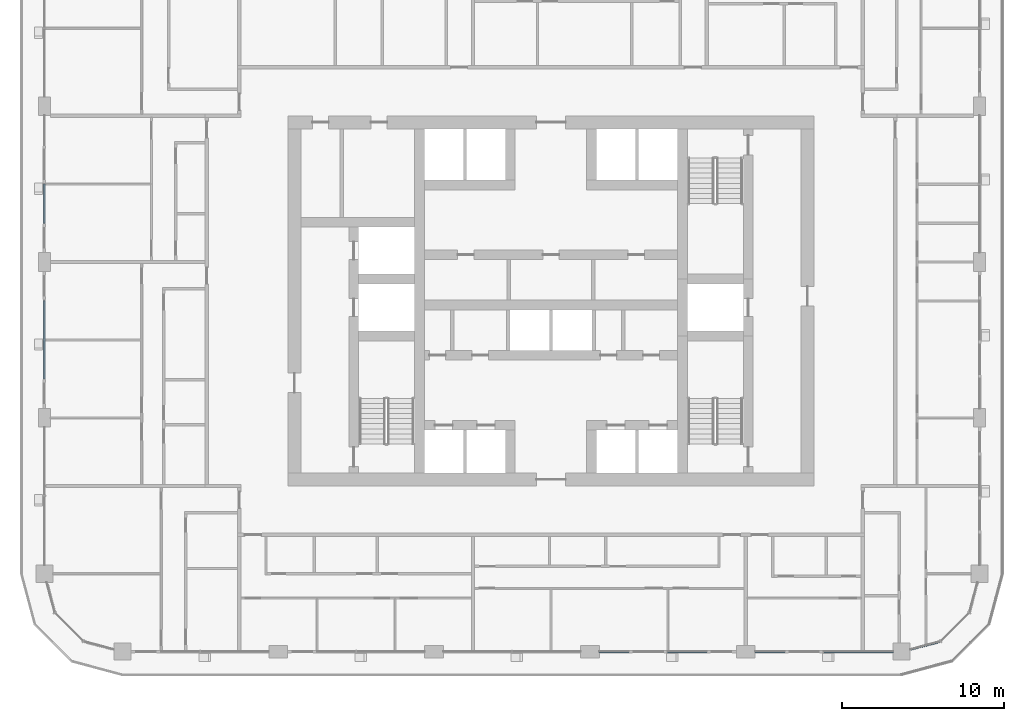
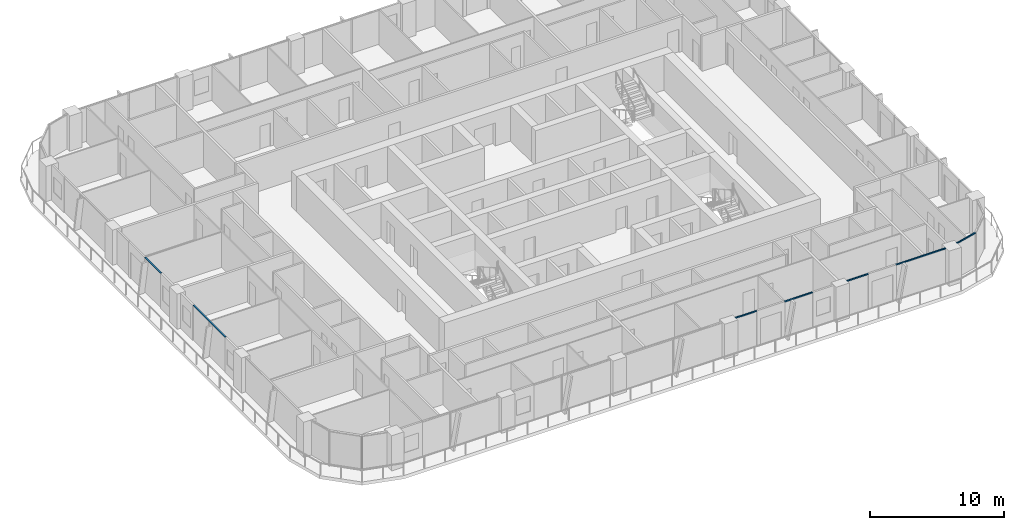
# One storey, part 3 of 22: 7 members, 5 elements without a shape of their own.
"""IFC4 building model written with IfcOpenShell, lengths in metres."""

from ifc_helpers import new_model, si_unit, direction, frame, origin, origin_2d, place, context, subcontext, project, spatial, rectangle, extrude, material, layer, layer_set, material_profile, profile_set, type_object, element, aggregate, save


model = new_model("IFC4")

# Units and contexts
model_context = context("Model", 3, precision=1e-05, world=origin(), true_north=direction((0.0, 1.0)))
body_context = subcontext(model_context, "Body", "Model", "MODEL_VIEW")
ifc_project = project(units=[si_unit("LENGTHUNIT", "METRE"), si_unit("AREAUNIT", "SQUARE_METRE"), si_unit("VOLUMEUNIT", "CUBIC_METRE"), si_unit("PLANEANGLEUNIT", "RADIAN"), si_unit("MASSUNIT", "GRAM", prefix="KILO")], contexts=[model_context])

# Site, building, storey
site_placement = place(None, origin())
site = spatial("IfcSite", under=ifc_project, at=site_placement, CompositionType="ELEMENT")
building_placement = place(site_placement, origin())
building = spatial("IfcBuilding", under=site, at=building_placement, Name="Madar Terraces", CompositionType="ELEMENT")
storey_placement = place(building_placement, frame((0.0, 0.0, 122.60009765625)))
storey = spatial("IfcBuildingStorey", under=building, at=storey_placement, Name="L31", CompositionType="ELEMENT", Elevation=122.60009765625)

# Curtain wall, members
ifc_material_1 = material(Name="Glass, ceramic frit dark grey, with black aluminium frame", Category="aluminium")
ifc_layer = layer(ifc_material_1, 0.199951171875)
ifc_layer_set = layer_set([ifc_layer], Name="Facade curtain wall, fritted glass")
curtain_wall_type = type_object("IfcCurtainWallType", Name="Facade curtain wall, fritted glass", PredefinedType="NOTDEFINED", material=ifc_layer_set)
curtain_wall_1_placement = place(storey_placement, origin())
curtain_wall_1 = element("IfcCurtainWall", 1, at=curtain_wall_1_placement, inside=storey, type_object=curtain_wall_type, Name="Outer skin curtain wall south bay 4", PredefinedType="NOTDEFINED")
ifc_material_2 = material(Name="Aluminium, black anodised", Category="aluminium")
ifc_material_profile = material_profile(ifc_material_2, rectangle(XDim=0.1201171875, YDim=0.06005859375, at=origin_2d()), Name="Facade transom 60x120")
ifc_profile_set = profile_set([ifc_material_profile], Name="Aluminium, black anodised")
member_type = type_object("IfcMemberType", Name="Facade transom 60x120", PredefinedType="USERDEFINED", material=ifc_profile_set)
member_1_placement = place(storey_placement, frame((34.175048828125, 4.800048828125, 3.169921875), z_axis=(1.0, 0.0, 0.0), x_axis=(0.0, 1.0, 0.0)))
member_1 = element("IfcMember", 2, at=member_1_placement, type_object=member_type, Name="Transom 1", ObjectType="TRANSOM", PredefinedType="USERDEFINED", context=body_context, shape_type="SweptSolid", body=[
    extrude(rectangle(XDim=0.1201171875, YDim=0.06005859375, at=origin_2d()), origin(), (0.0, 0.0, 1.0), 1.824951171875),
])
member_2_placement = place(storey_placement, frame((38.39990234375, 4.800048828125, 3.169921875), z_axis=(1.0, 0.0, 0.0), x_axis=(0.0, 1.0, 0.0)))
member_2 = element("IfcMember", 3, at=member_2_placement, type_object=member_type, Name="Transom 2", ObjectType="TRANSOM", PredefinedType="USERDEFINED", context=body_context, shape_type="SweptSolid", body=[
    extrude(rectangle(XDim=0.1201171875, YDim=0.06005859375, at=origin_2d()), origin(), (0.0, 0.0, 1.0), 2.400146484375),
])
aggregate(curtain_wall_1, [member_1, member_2])

curtain_wall_2_placement = place(storey_placement, origin())
curtain_wall_2 = element("IfcCurtainWall", 4, at=curtain_wall_2_placement, inside=storey, type_object=curtain_wall_type, Name="Outer skin curtain wall south bay 5", PredefinedType="NOTDEFINED")
member_3_placement = place(storey_placement, frame((43.77490234375, 4.800048828125, 3.169921875), z_axis=(1.0, 0.0, 0.0), x_axis=(0.0, 1.0, 0.0)))
member_3 = element("IfcMember", 5, at=member_3_placement, type_object=member_type, Name="Transom 1", ObjectType="TRANSOM", PredefinedType="USERDEFINED", context=body_context, shape_type="SweptSolid", body=[
    extrude(rectangle(XDim=0.1201171875, YDim=0.06005859375, at=origin_2d()), origin(), (0.0, 0.0, 1.0), 1.8251953125),
])
member_4_placement = place(storey_placement, frame((48.0, 4.800048828125, 3.169921875), z_axis=(1.0, 0.0, 0.0), x_axis=(0.0, 1.0, 0.0)))
member_4 = element("IfcMember", 6, at=member_4_placement, type_object=member_type, Name="Transom 2", ObjectType="TRANSOM", PredefinedType="USERDEFINED", context=body_context, shape_type="SweptSolid", body=[
    extrude(rectangle(XDim=0.1201171875, YDim=0.06005859375, at=origin_2d()), origin(), (0.0, 0.0, 1.0), 4.27490234375),
])
aggregate(curtain_wall_2, [member_3, member_4])

# Curtain wall, member
curtain_wall_3_placement = place(storey_placement, origin())
curtain_wall_3 = element("IfcCurtainWall", 7, at=curtain_wall_3_placement, inside=storey, type_object=curtain_wall_type, Name="Outer skin curtain wall west bay 2", PredefinedType="NOTDEFINED")
member_5_placement = place(storey_placement, frame((0.0, 33.60009765625, 3.169921875), z_axis=(0.0, -1.0, 0.0), x_axis=(1.0, 0.0, 0.0)))
member_5 = element("IfcMember", 8, at=member_5_placement, type_object=member_type, Name="Transom 2", ObjectType="TRANSOM", PredefinedType="USERDEFINED", context=body_context, shape_type="SweptSolid", body=[
    extrude(rectangle(XDim=0.1201171875, YDim=0.06005859375, at=origin_2d()), origin(), (0.0, 0.0, 1.0), 2.400146484375),
])
aggregate(curtain_wall_3, [member_5])

curtain_wall_4_placement = place(storey_placement, origin())
curtain_wall_4 = element("IfcCurtainWall", 9, at=curtain_wall_4_placement, inside=storey, type_object=curtain_wall_type, Name="Outer skin curtain wall west bay 3", PredefinedType="NOTDEFINED")
member_6_placement = place(storey_placement, frame((0.0, 26.39990234375, 3.169921875), z_axis=(0.0, -1.0, 0.0), x_axis=(1.0, 0.0, 0.0)))
member_6 = element("IfcMember", 10, at=member_6_placement, type_object=member_type, Name="Transom 1", ObjectType="TRANSOM", PredefinedType="USERDEFINED", context=body_context, shape_type="SweptSolid", body=[
    extrude(rectangle(XDim=0.1201171875, YDim=0.06005859375, at=origin_2d()), origin(), (0.0, 0.0, 1.0), 4.7998046875),
])
aggregate(curtain_wall_4, [member_6])

curtain_wall_5_placement = place(storey_placement, origin())
curtain_wall_5 = element("IfcCurtainWall", 11, at=curtain_wall_5_placement, inside=storey, type_object=curtain_wall_type, Name="Outer skin curtain wall south-east corner", PredefinedType="NOTDEFINED")
member_7_placement = place(storey_placement, frame((53.324951171875, 4.940673828125, 3.169921875), z_axis=(0.965933227928, 0.25879142023, 0.0), x_axis=(-0.25879142023, 0.965933227928, 0.0)))
member_7 = element("IfcMember", 12, at=member_7_placement, type_object=member_type, Name="Transom 1", ObjectType="TRANSOM", PredefinedType="USERDEFINED", context=body_context, shape_type="SweptSolid", body=[
    extrude(rectangle(XDim=0.1201171875, YDim=0.06005859375, at=origin_2d()), origin(), (0.0, 0.0, 1.0), 1.911376953125),
])
aggregate(curtain_wall_5, [member_7])

save(model, "model.ifc")
